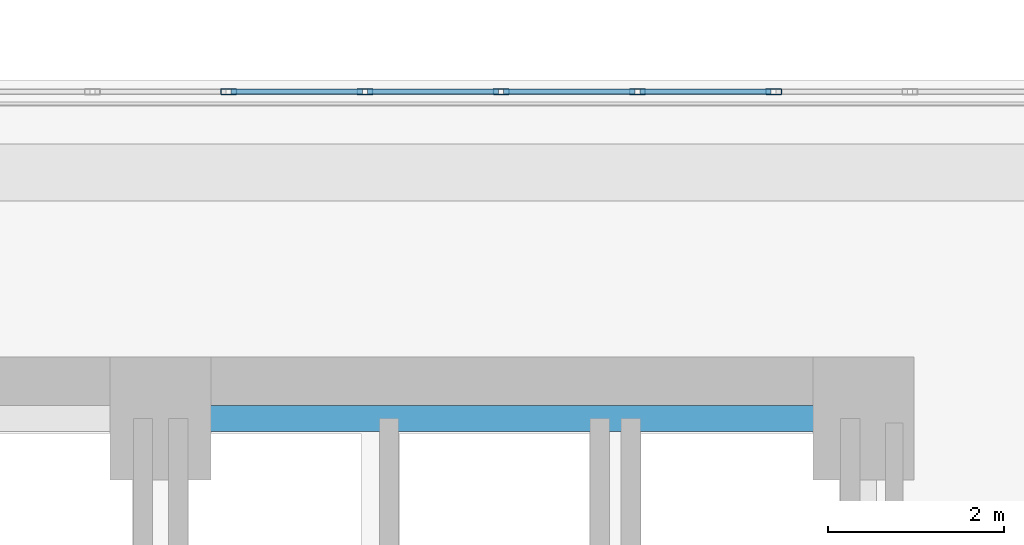
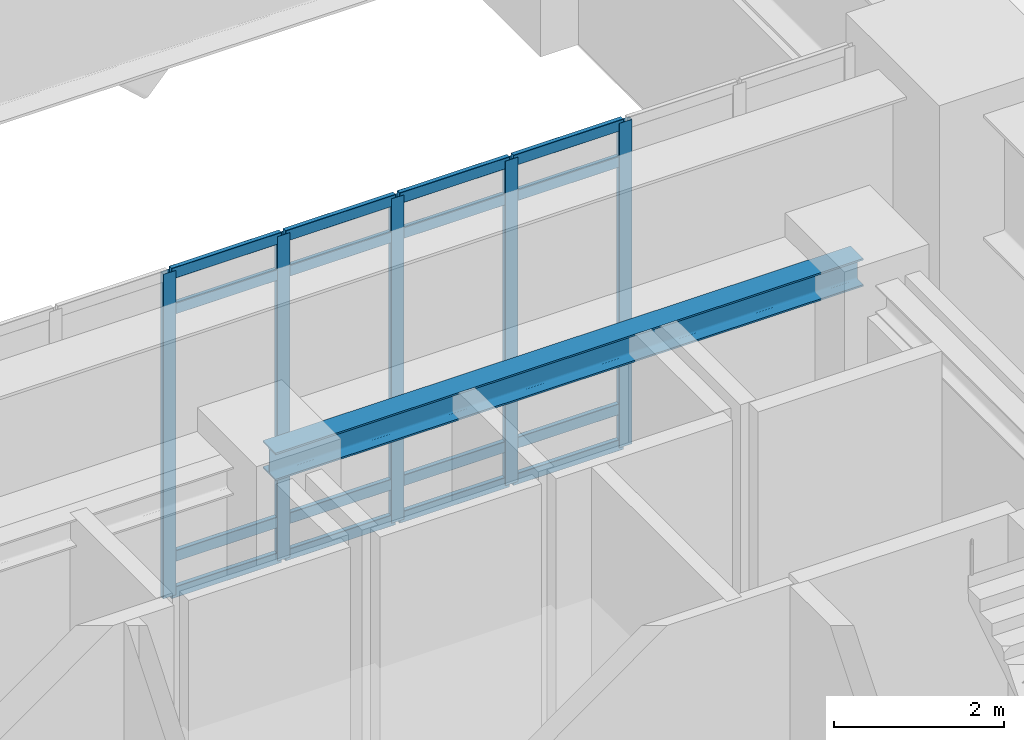
# One storey, part 12 of 25: 21 members, 1 beam, 1 element without a shape of its own.
"""IFC4 building model written with IfcOpenShell, lengths in metres."""

import ifcopenshell
import ifcopenshell.guid

model = None  # the IFC model being written
_history = None  # IfcOwnerHistory: only IFC2X3 demands one
_inside = {}  # id of a spatial element -> (the spatial element, [elements in it])
_under = {}  # id of a project, library or spatial element -> (it, [spatial elements below it])
_declared = {}  # id of a project -> (the project, [libraries it declares])
_typed = {}  # id of a type object -> (the type object, [elements of that type])
_made_of = {}  # id of a material, layer set ... -> (it, [elements and type objects made of it])


def new_model(schema):
    """Start an empty IFC model of exactly this schema.

    Asked for "IFC4X3", IfcOpenShell would pick the latest addendum, in which some entities
    have other attributes; the version numbers below select the first issue.
    IFC2X3 requires an IfcOwnerHistory on every rooted entity: one is made here for all.
    """
    global model, _history
    if schema == "IFC4X3":
        model = ifcopenshell.file(schema_version=(4, 3, 0, 0))
    else:
        model = ifcopenshell.file(schema=schema)
    _inside.clear()
    _under.clear()
    _declared.clear()
    _typed.clear()
    _made_of.clear()
    _history = None
    if model.schema == "IFC2X3":
        org = make("IfcOrganization", Name="unknown")
        user = make(
            "IfcPersonAndOrganization",
            ThePerson=make("IfcPerson", FamilyName="unknown"),
            TheOrganization=org,
        )
        app = make(
            "IfcApplication",
            ApplicationDeveloper=org,
            Version="unknown",
            ApplicationFullName="unknown",
            ApplicationIdentifier="unknown",
        )
        _history = make(
            "IfcOwnerHistory",
            OwningUser=user,
            OwningApplication=app,
            ChangeAction="ADDED",
            CreationDate=0,
        )
    return model


def make(cls, **values):
    """One entity of the class cls with the attributes given. An attribute that is None is left unset."""
    return model.create_entity(
        cls, **{name: value for name, value in values.items() if value is not None}
    )


def rooted(cls, **values):
    """An entity with a GlobalId (a new one), such as an element, a storey or a relation."""
    return make(cls, GlobalId=ifcopenshell.guid.new(), OwnerHistory=_history, **values)


def si_unit(unit_type, name, prefix=None):
    """IfcSIUnit, for example si_unit("LENGTHUNIT", "METRE", prefix="MILLI")."""
    return make("IfcSIUnit", UnitType=unit_type, Prefix=prefix, Name=name)


def assignment(units):
    """IfcUnitAssignment: the units of a project."""
    return None if units is None else make("IfcUnitAssignment", Units=units)


def point(xyz):
    """IfcCartesianPoint."""
    return None if xyz is None else make("IfcCartesianPoint", Coordinates=xyz)


def direction(xyz):
    """IfcDirection."""
    return None if xyz is None else make("IfcDirection", DirectionRatios=xyz)


def frame(location, z_axis=None, x_axis=None):
    """IfcAxis2Placement3D, a coordinate frame: its origin and axes. An axis left out is left unset."""
    return make(
        "IfcAxis2Placement3D",
        Location=point(location),
        Axis=direction(z_axis),
        RefDirection=direction(x_axis),
    )


def frame_2d(location, x_axis=None):
    """IfcAxis2Placement2D, a coordinate frame in the plane: its origin and x axis."""
    return make(
        "IfcAxis2Placement2D", Location=point(location), RefDirection=direction(x_axis)
    )


def origin():
    """The frame at (0, 0, 0) with its axes left unset."""
    return frame((0.0, 0.0, 0.0))


def origin_2d():
    """The frame at (0, 0) in the plane with its x axis left unset."""
    return frame_2d((0.0, 0.0))


def place(relative_to, where):
    """IfcLocalPlacement: puts the frame where relative to a parent placement (None: the world)."""
    return make(
        "IfcLocalPlacement", PlacementRelTo=relative_to, RelativePlacement=where
    )


def context(
    kind, dimensions, precision=None, world=None, true_north=None, identifier=None
):
    """IfcGeometricRepresentationContext, for example the 3D "Model" context."""
    return make(
        "IfcGeometricRepresentationContext",
        ContextIdentifier=identifier,
        ContextType=kind,
        CoordinateSpaceDimension=dimensions,
        Precision=precision,
        WorldCoordinateSystem=world,
        TrueNorth=true_north,
    )


def subcontext(parent, identifier, kind, view, scale=None):
    """IfcGeometricRepresentationSubContext, for example "Body" below "Model"."""
    return make(
        "IfcGeometricRepresentationSubContext",
        ContextIdentifier=identifier,
        ContextType=kind,
        ParentContext=parent,
        TargetScale=scale,
        TargetView=view,
    )


def project(units=None, contexts=None):
    """IfcProject with its units and contexts."""
    return rooted(
        "IfcProject",
        Name="project",
        RepresentationContexts=contexts,
        UnitsInContext=assignment(units),
    )


def spatial(cls, under=None, at=None, **own):
    """A site, building, storey or space (cls), placed at a placement, below another one or the project."""
    s = rooted(cls, ObjectPlacement=at, **own)
    if under is not None:
        _under.setdefault(under.id(), (under, []))[1].append(s)
    return s


def profile(cls, at=None, kind="AREA", **sizes):
    """A parametric profile (cls). Its sizes go by their IFC names, for example OverallWidth=200.0."""
    return make(cls, ProfileType=kind, Position=at, **sizes)


def hollow_rectangle(**sizes):
    """IfcRectangleHollowProfileDef."""
    return profile("IfcRectangleHollowProfileDef", **sizes)


def i_section(**sizes):
    """IfcIShapeProfileDef."""
    return profile("IfcIShapeProfileDef", **sizes)


def extrude(swept, where, along, depth):
    """IfcExtrudedAreaSolid: the profile swept, set in the frame where, extruded along a direction by depth."""
    return make(
        "IfcExtrudedAreaSolid",
        SweptArea=swept,
        Position=where,
        ExtrudedDirection=direction(along),
        Depth=depth,
    )


def shape(context_of_items, identifier, shape_type, items):
    """IfcShapeRepresentation: the items that make up one representation, for example the "Body"."""
    return make(
        "IfcShapeRepresentation",
        ContextOfItems=context_of_items,
        RepresentationIdentifier=identifier,
        RepresentationType=shape_type,
        Items=items,
    )


def material(Name=None, Category=None):
    """IfcMaterial."""
    return make("IfcMaterial", Name=Name, Category=Category)


def layer(
    of_material, thickness, ventilated=None, Name=None, Category=None, Priority=None
):
    """IfcMaterialLayer: one layer of a wall or slab, of a material (None: an air gap)."""
    return make(
        "IfcMaterialLayer",
        Material=of_material,
        LayerThickness=thickness,
        IsVentilated=ventilated,
        Name=Name,
        Category=Category,
        Priority=Priority,
    )


def layer_set(layers, Name=None):
    """IfcMaterialLayerSet."""
    return make("IfcMaterialLayerSet", MaterialLayers=layers, LayerSetName=Name)


def material_profile(
    of_material, cross_section, Name=None, Category=None, Priority=None
):
    """IfcMaterialProfile: a cross section and its material."""
    return make(
        "IfcMaterialProfile",
        Name=Name,
        Material=of_material,
        Profile=cross_section,
        Priority=Priority,
        Category=Category,
    )


def profile_set(profiles, Name=None, composite=None):
    """IfcMaterialProfileSet."""
    return make(
        "IfcMaterialProfileSet",
        Name=Name,
        MaterialProfiles=profiles,
        CompositeProfile=composite,
    )


def made_of(thing, what):
    """Note that an element or type object is made of a material, layer set ...; save() writes the relation."""
    if what is not None:
        _made_of.setdefault(what.id(), (what, []))[1].append(thing)
    return thing


def type_object(cls, material=None, **own):
    """A type object (cls), such as IfcWallType, which elements share."""
    return made_of(rooted(cls, **own), material)


def element(
    cls,
    number,
    at=None,
    inside=None,
    cuts=None,
    type_object=None,
    material=None,
    context=None,
    identifier="Body",
    shape_type=None,
    held_by="IfcProductDefinitionShape",
    body=None,
    shapes=None,
    **own,
):
    """One element of the class cls, such as IfcWall. Its Tag is "e" and its number.

    at: its placement. inside: the storey or other place that contains it. cuts: it is an
    opening in that element (IfcRelVoidsElement). A single representation is given by context,
    identifier, shape_type and body (its items); several are given by shapes. held_by: the class
    of the entity that holds the representations. save() writes the other relations.
    """
    e = rooted(cls, Tag="e%d" % number, ObjectPlacement=at, **own)
    if body is not None:
        shapes = [shape(context, identifier, shape_type, body)]
    if shapes is not None:
        e.Representation = make(held_by, Representations=shapes)
    if inside is not None:
        _inside.setdefault(inside.id(), (inside, []))[1].append(e)
    if cuts is not None:
        rooted(
            "IfcRelVoidsElement", RelatingBuildingElement=cuts, RelatedOpeningElement=e
        )
    if type_object is not None:
        _typed.setdefault(type_object.id(), (type_object, []))[1].append(e)
    return made_of(e, material)


def aggregate(whole, parts):
    """IfcRelAggregates: a whole, such as a stair, and the parts it consists of."""
    return rooted("IfcRelAggregates", RelatingObject=whole, RelatedObjects=parts)


def save(model, path):
    """Write the relations noted so far, then the file.

    IfcRelAggregates (storeys below a building ...), IfcRelContainedInSpatialStructure (elements
    in a storey), IfcRelDefinesByType, IfcRelAssociatesMaterial and IfcRelDeclares: one each for
    every whole, place, type object, material and project.
    """
    for whole, parts in _under.values():
        aggregate(whole, parts)
    for where, things in _inside.values():
        rooted(
            "IfcRelContainedInSpatialStructure",
            RelatedElements=things,
            RelatingStructure=where,
        )
    for kind, things in _typed.values():
        rooted("IfcRelDefinesByType", RelatedObjects=things, RelatingType=kind)
    for what, things in _made_of.values():
        rooted("IfcRelAssociatesMaterial", RelatedObjects=things, RelatingMaterial=what)
    for by, libraries in _declared.values():
        rooted("IfcRelDeclares", RelatingContext=by, RelatedDefinitions=libraries)
    model.write(path)


model = new_model("IFC4")

# Units and contexts
model_context = context("Model", 3, precision=1e-05, world=origin(), true_north=direction((0.0, 1.0)))
body_context = subcontext(model_context, "Body", "Model", "MODEL_VIEW")
ifc_project = project(units=[si_unit("LENGTHUNIT", "METRE"), si_unit("AREAUNIT", "SQUARE_METRE"), si_unit("VOLUMEUNIT", "CUBIC_METRE"), si_unit("PLANEANGLEUNIT", "RADIAN"), si_unit("MASSUNIT", "GRAM", prefix="KILO")], contexts=[model_context])

# Site, building, storey
site_placement = place(None, origin())
site = spatial("IfcSite", under=ifc_project, at=site_placement, CompositionType="ELEMENT")
building_placement = place(site_placement, origin())
building = spatial("IfcBuilding", under=site, at=building_placement, Name="Ndelora Gate Hotel", CompositionType="ELEMENT")
storey_placement = place(building_placement, frame((0.0, 0.0, 11.0)))
storey = spatial("IfcBuildingStorey", under=building, at=storey_placement, Name="L02", CompositionType="ELEMENT", Elevation=11.0)

# Beam
ifc_material_1 = material(Name="Steel S355", Category="steel")
ifc_material_profile_1 = material_profile(ifc_material_1, i_section(OverallWidth=0.300048828125, OverallDepth=0.39990234375, WebThickness=0.013427734375, FlangeThickness=0.02392578125, FilletRadius=0.027099609375, at=origin_2d()), Name="HEB 400")
ifc_profile_set_1 = profile_set([ifc_material_profile_1], Name="Steel S355")
beam_type = type_object("IfcBeamType", Name="BM-CORE-400", PredefinedType="BEAM", material=ifc_profile_set_1)
beam_placement = place(storey_placement, frame((0.0, 6.60009765625, 4.4599609375), z_axis=(1.0, 0.0, 0.0), x_axis=(0.0, 1.0, 0.0)))
element("IfcBeam", 1, at=beam_placement, inside=storey, type_object=beam_type, Name="L02 Core Tie Girder CC6-CC5", PredefinedType="BEAM", context=body_context, shape_type="SweptSolid", body=[
    extrude(i_section(OverallWidth=0.300048828125, OverallDepth=0.39990234375, WebThickness=0.013427734375, FlangeThickness=0.02392578125, FilletRadius=0.027099609375, at=origin_2d()), origin(), (0.0, 0.0, 1.0), 8.0),
])

# Curtain wall, members
ifc_material_2 = material(Name="Bronze Anodised Unitised Aluminium and Low-E Glass", Category="aluminium")
ifc_layer = layer(ifc_material_2, 0.239990234375)
ifc_layer_set = layer_set([ifc_layer], Name="Bronze Anodised Unitised Aluminium and Low-E Glass")
curtain_wall_type = type_object("IfcCurtainWallType", Name="CW-SYS-1", PredefinedType="NOTDEFINED", material=ifc_layer_set)
curtain_wall_placement = place(storey_placement, origin())
curtain_wall = element("IfcCurtainWall", 2, at=curtain_wall_placement, inside=storey, type_object=curtain_wall_type, Name="L02 North Portal Arch Concourse Curtain Wall CW1", PredefinedType="NOTDEFINED")
ifc_material_3 = material(Name="Bronze Anodised Aluminium 6063-T6", Category="aluminium")
ifc_material_profile_2 = material_profile(ifc_material_3, hollow_rectangle(XDim=0.070068359375, YDim=0.179931640625, WallThickness=0.0048828125, InnerFilletRadius=0.0048828125, OuterFilletRadius=0.010009765625, at=origin_2d()), Name="ALU 180x70x5")
ifc_profile_set_2 = profile_set([ifc_material_profile_2], Name="Bronze Anodised Aluminium 6063-T6")
member_type_1 = type_object("IfcMemberType", Name="MB-CW-MUL180", PredefinedType="MULLION", material=ifc_profile_set_2)
member_1_placement = place(storey_placement, frame((6.978515625, 10.320068359375, -0.00390625), z_axis=(0.0, 0.0, 1.0), x_axis=(0.0, -1.0, 0.0)))
member_1 = element("IfcMember", 3, at=member_1_placement, type_object=member_type_1, Name="CW1 mullion 3", PredefinedType="MULLION", context=body_context, shape_type="SweptSolid", body=[
    extrude(hollow_rectangle(XDim=0.070068359375, YDim=0.179931640625, WallThickness=0.0048828125, InnerFilletRadius=0.0048828125, OuterFilletRadius=0.010009765625, at=origin_2d()), origin(), (0.0, 0.0, 1.0), 4.66796875),
])
member_2_placement = place(storey_placement, frame((5.427734375, 10.320068359375, -0.00390625), z_axis=(0.0, 0.0, 1.0), x_axis=(0.0, -1.0, 0.0)))
member_2 = element("IfcMember", 4, at=member_2_placement, type_object=member_type_1, Name="CW1 mullion 4", PredefinedType="MULLION", context=body_context, shape_type="SweptSolid", body=[
    extrude(hollow_rectangle(XDim=0.070068359375, YDim=0.179931640625, WallThickness=0.0048828125, InnerFilletRadius=0.0048828125, OuterFilletRadius=0.010009765625, at=origin_2d()), origin(), (0.0, 0.0, 1.0), 4.66796875),
])
member_3_placement = place(storey_placement, frame((3.876953125, 10.320068359375, -0.00390625), z_axis=(0.0, 0.0, 1.0), x_axis=(0.0, -1.0, 0.0)))
member_3 = element("IfcMember", 5, at=member_3_placement, type_object=member_type_1, Name="CW1 mullion 5", PredefinedType="MULLION", context=body_context, shape_type="SweptSolid", body=[
    extrude(hollow_rectangle(XDim=0.070068359375, YDim=0.179931640625, WallThickness=0.0048828125, InnerFilletRadius=0.0048828125, OuterFilletRadius=0.010009765625, at=origin_2d()), origin(), (0.0, 0.0, 1.0), 4.66796875),
])
member_4_placement = place(storey_placement, frame((2.326171875, 10.320068359375, -0.00390625), z_axis=(0.0, 0.0, 1.0), x_axis=(0.0, -1.0, 0.0)))
member_4 = element("IfcMember", 6, at=member_4_placement, type_object=member_type_1, Name="CW1 mullion 6", PredefinedType="MULLION", context=body_context, shape_type="SweptSolid", body=[
    extrude(hollow_rectangle(XDim=0.070068359375, YDim=0.179931640625, WallThickness=0.0048828125, InnerFilletRadius=0.0048828125, OuterFilletRadius=0.010009765625, at=origin_2d()), origin(), (0.0, 0.0, 1.0), 4.66796875),
])
member_5_placement = place(storey_placement, frame((0.775390625, 10.320068359375, -0.00390625), z_axis=(0.0, 0.0, 1.0), x_axis=(0.0, -1.0, 0.0)))
member_5 = element("IfcMember", 7, at=member_5_placement, type_object=member_type_1, Name="CW1 mullion 7", PredefinedType="MULLION", context=body_context, shape_type="SweptSolid", body=[
    extrude(hollow_rectangle(XDim=0.070068359375, YDim=0.179931640625, WallThickness=0.0048828125, InnerFilletRadius=0.0048828125, OuterFilletRadius=0.010009765625, at=origin_2d()), origin(), (0.0, 0.0, 1.0), 4.66796875),
])
ifc_material_profile_3 = material_profile(ifc_material_3, hollow_rectangle(XDim=0.06494140625, YDim=0.159912109375, WallThickness=0.00390625, InnerFilletRadius=0.00390625, OuterFilletRadius=0.008056640625, at=origin_2d()), Name="ALU 160x65x4")
ifc_profile_set_3 = profile_set([ifc_material_profile_3], Name="Bronze Anodised Aluminium 6063-T6")
member_type_2 = type_object("IfcMemberType", Name="MB-CW-TRN150", PredefinedType="USERDEFINED", material=ifc_profile_set_3)
member_6_placement = place(storey_placement, frame((6.949462890625, 10.320068359375, 0.032470703125), z_axis=(-1.0, 0.0, 0.0), x_axis=(0.0, -1.0, 0.0)))
member_6 = element("IfcMember", 8, at=member_6_placement, type_object=member_type_2, Name="CW1 transom 3.1", ObjectType="TRANSOM", PredefinedType="USERDEFINED", context=body_context, shape_type="SweptSolid", body=[
    extrude(hollow_rectangle(XDim=0.06494140625, YDim=0.159912109375, WallThickness=0.00390625, InnerFilletRadius=0.00390625, OuterFilletRadius=0.008056640625, at=origin_2d()), origin(), (0.0, 0.0, 1.0), 1.49267578125),
])
member_7_placement = place(storey_placement, frame((6.949462890625, 10.320068359375, 0.550048828125), z_axis=(-1.0, 0.0, 0.0), x_axis=(0.0, -1.0, 0.0)))
member_7 = element("IfcMember", 9, at=member_7_placement, type_object=member_type_2, Name="CW1 transom 3.2", ObjectType="TRANSOM", PredefinedType="USERDEFINED", context=body_context, shape_type="SweptSolid", body=[
    extrude(hollow_rectangle(XDim=0.06494140625, YDim=0.159912109375, WallThickness=0.00390625, InnerFilletRadius=0.00390625, OuterFilletRadius=0.008056640625, at=origin_2d()), origin(), (0.0, 0.0, 1.0), 1.49267578125),
])
member_8_placement = place(storey_placement, frame((6.949462890625, 10.320068359375, 4.110107421875), z_axis=(-1.0, 0.0, 0.0), x_axis=(0.0, -1.0, 0.0)))
member_8 = element("IfcMember", 10, at=member_8_placement, type_object=member_type_2, Name="CW1 transom 3.3", ObjectType="TRANSOM", PredefinedType="USERDEFINED", context=body_context, shape_type="SweptSolid", body=[
    extrude(hollow_rectangle(XDim=0.06494140625, YDim=0.159912109375, WallThickness=0.00390625, InnerFilletRadius=0.00390625, OuterFilletRadius=0.008056640625, at=origin_2d()), origin(), (0.0, 0.0, 1.0), 1.49267578125),
])
member_9_placement = place(storey_placement, frame((6.949462890625, 10.320068359375, 4.62744140625), z_axis=(-1.0, 0.0, 0.0), x_axis=(0.0, -1.0, 0.0)))
member_9 = element("IfcMember", 11, at=member_9_placement, type_object=member_type_2, Name="CW1 transom 3.4", ObjectType="TRANSOM", PredefinedType="USERDEFINED", context=body_context, shape_type="SweptSolid", body=[
    extrude(hollow_rectangle(XDim=0.06494140625, YDim=0.159912109375, WallThickness=0.00390625, InnerFilletRadius=0.00390625, OuterFilletRadius=0.008056640625, at=origin_2d()), origin(), (0.0, 0.0, 1.0), 1.49267578125),
])
member_10_placement = place(storey_placement, frame((5.398681640625, 10.320068359375, 0.032470703125), z_axis=(-1.0, 0.0, 0.0), x_axis=(0.0, -1.0, 0.0)))
member_10 = element("IfcMember", 12, at=member_10_placement, type_object=member_type_2, Name="CW1 transom 4.1", ObjectType="TRANSOM", PredefinedType="USERDEFINED", context=body_context, shape_type="SweptSolid", body=[
    extrude(hollow_rectangle(XDim=0.06494140625, YDim=0.159912109375, WallThickness=0.00390625, InnerFilletRadius=0.00390625, OuterFilletRadius=0.008056640625, at=origin_2d()), origin(), (0.0, 0.0, 1.0), 1.49267578125),
])
member_11_placement = place(storey_placement, frame((5.398681640625, 10.320068359375, 0.550048828125), z_axis=(-1.0, 0.0, 0.0), x_axis=(0.0, -1.0, 0.0)))
member_11 = element("IfcMember", 13, at=member_11_placement, type_object=member_type_2, Name="CW1 transom 4.2", ObjectType="TRANSOM", PredefinedType="USERDEFINED", context=body_context, shape_type="SweptSolid", body=[
    extrude(hollow_rectangle(XDim=0.06494140625, YDim=0.159912109375, WallThickness=0.00390625, InnerFilletRadius=0.00390625, OuterFilletRadius=0.008056640625, at=origin_2d()), origin(), (0.0, 0.0, 1.0), 1.49267578125),
])
member_12_placement = place(storey_placement, frame((5.398681640625, 10.320068359375, 4.110107421875), z_axis=(-1.0, 0.0, 0.0), x_axis=(0.0, -1.0, 0.0)))
member_12 = element("IfcMember", 14, at=member_12_placement, type_object=member_type_2, Name="CW1 transom 4.3", ObjectType="TRANSOM", PredefinedType="USERDEFINED", context=body_context, shape_type="SweptSolid", body=[
    extrude(hollow_rectangle(XDim=0.06494140625, YDim=0.159912109375, WallThickness=0.00390625, InnerFilletRadius=0.00390625, OuterFilletRadius=0.008056640625, at=origin_2d()), origin(), (0.0, 0.0, 1.0), 1.49267578125),
])
member_13_placement = place(storey_placement, frame((5.398681640625, 10.320068359375, 4.62744140625), z_axis=(-1.0, 0.0, 0.0), x_axis=(0.0, -1.0, 0.0)))
member_13 = element("IfcMember", 15, at=member_13_placement, type_object=member_type_2, Name="CW1 transom 4.4", ObjectType="TRANSOM", PredefinedType="USERDEFINED", context=body_context, shape_type="SweptSolid", body=[
    extrude(hollow_rectangle(XDim=0.06494140625, YDim=0.159912109375, WallThickness=0.00390625, InnerFilletRadius=0.00390625, OuterFilletRadius=0.008056640625, at=origin_2d()), origin(), (0.0, 0.0, 1.0), 1.49267578125),
])
member_14_placement = place(storey_placement, frame((3.847900390625, 10.320068359375, 0.032470703125), z_axis=(-1.0, 0.0, 0.0), x_axis=(0.0, -1.0, 0.0)))
member_14 = element("IfcMember", 16, at=member_14_placement, type_object=member_type_2, Name="CW1 transom 5.1", ObjectType="TRANSOM", PredefinedType="USERDEFINED", context=body_context, shape_type="SweptSolid", body=[
    extrude(hollow_rectangle(XDim=0.06494140625, YDim=0.159912109375, WallThickness=0.00390625, InnerFilletRadius=0.00390625, OuterFilletRadius=0.008056640625, at=origin_2d()), origin(), (0.0, 0.0, 1.0), 1.49267578125),
])
member_15_placement = place(storey_placement, frame((3.847900390625, 10.320068359375, 0.550048828125), z_axis=(-1.0, 0.0, 0.0), x_axis=(0.0, -1.0, 0.0)))
member_15 = element("IfcMember", 17, at=member_15_placement, type_object=member_type_2, Name="CW1 transom 5.2", ObjectType="TRANSOM", PredefinedType="USERDEFINED", context=body_context, shape_type="SweptSolid", body=[
    extrude(hollow_rectangle(XDim=0.06494140625, YDim=0.159912109375, WallThickness=0.00390625, InnerFilletRadius=0.00390625, OuterFilletRadius=0.008056640625, at=origin_2d()), origin(), (0.0, 0.0, 1.0), 1.49267578125),
])
member_16_placement = place(storey_placement, frame((3.847900390625, 10.320068359375, 4.110107421875), z_axis=(-1.0, 0.0, 0.0), x_axis=(0.0, -1.0, 0.0)))
member_16 = element("IfcMember", 18, at=member_16_placement, type_object=member_type_2, Name="CW1 transom 5.3", ObjectType="TRANSOM", PredefinedType="USERDEFINED", context=body_context, shape_type="SweptSolid", body=[
    extrude(hollow_rectangle(XDim=0.06494140625, YDim=0.159912109375, WallThickness=0.00390625, InnerFilletRadius=0.00390625, OuterFilletRadius=0.008056640625, at=origin_2d()), origin(), (0.0, 0.0, 1.0), 1.49267578125),
])
member_17_placement = place(storey_placement, frame((3.847900390625, 10.320068359375, 4.62744140625), z_axis=(-1.0, 0.0, 0.0), x_axis=(0.0, -1.0, 0.0)))
member_17 = element("IfcMember", 19, at=member_17_placement, type_object=member_type_2, Name="CW1 transom 5.4", ObjectType="TRANSOM", PredefinedType="USERDEFINED", context=body_context, shape_type="SweptSolid", body=[
    extrude(hollow_rectangle(XDim=0.06494140625, YDim=0.159912109375, WallThickness=0.00390625, InnerFilletRadius=0.00390625, OuterFilletRadius=0.008056640625, at=origin_2d()), origin(), (0.0, 0.0, 1.0), 1.49267578125),
])
member_18_placement = place(storey_placement, frame((2.297119140625, 10.320068359375, 0.032470703125), z_axis=(-1.0, 0.0, 0.0), x_axis=(0.0, -1.0, 0.0)))
member_18 = element("IfcMember", 20, at=member_18_placement, type_object=member_type_2, Name="CW1 transom 6.1", ObjectType="TRANSOM", PredefinedType="USERDEFINED", context=body_context, shape_type="SweptSolid", body=[
    extrude(hollow_rectangle(XDim=0.06494140625, YDim=0.159912109375, WallThickness=0.00390625, InnerFilletRadius=0.00390625, OuterFilletRadius=0.008056640625, at=origin_2d()), origin(), (0.0, 0.0, 1.0), 1.49267578125),
])
member_19_placement = place(storey_placement, frame((2.297119140625, 10.320068359375, 0.550048828125), z_axis=(-1.0, 0.0, 0.0), x_axis=(0.0, -1.0, 0.0)))
member_19 = element("IfcMember", 21, at=member_19_placement, type_object=member_type_2, Name="CW1 transom 6.2", ObjectType="TRANSOM", PredefinedType="USERDEFINED", context=body_context, shape_type="SweptSolid", body=[
    extrude(hollow_rectangle(XDim=0.06494140625, YDim=0.159912109375, WallThickness=0.00390625, InnerFilletRadius=0.00390625, OuterFilletRadius=0.008056640625, at=origin_2d()), origin(), (0.0, 0.0, 1.0), 1.49267578125),
])
member_20_placement = place(storey_placement, frame((2.297119140625, 10.320068359375, 4.110107421875), z_axis=(-1.0, 0.0, 0.0), x_axis=(0.0, -1.0, 0.0)))
member_20 = element("IfcMember", 22, at=member_20_placement, type_object=member_type_2, Name="CW1 transom 6.3", ObjectType="TRANSOM", PredefinedType="USERDEFINED", context=body_context, shape_type="SweptSolid", body=[
    extrude(hollow_rectangle(XDim=0.06494140625, YDim=0.159912109375, WallThickness=0.00390625, InnerFilletRadius=0.00390625, OuterFilletRadius=0.008056640625, at=origin_2d()), origin(), (0.0, 0.0, 1.0), 1.49267578125),
])
member_21_placement = place(storey_placement, frame((2.297119140625, 10.320068359375, 4.62744140625), z_axis=(-1.0, 0.0, 0.0), x_axis=(0.0, -1.0, 0.0)))
member_21 = element("IfcMember", 23, at=member_21_placement, type_object=member_type_2, Name="CW1 transom 6.4", ObjectType="TRANSOM", PredefinedType="USERDEFINED", context=body_context, shape_type="SweptSolid", body=[
    extrude(hollow_rectangle(XDim=0.06494140625, YDim=0.159912109375, WallThickness=0.00390625, InnerFilletRadius=0.00390625, OuterFilletRadius=0.008056640625, at=origin_2d()), origin(), (0.0, 0.0, 1.0), 1.49267578125),
])
aggregate(curtain_wall, [member_1, member_2, member_3, member_4, member_5, member_6, member_7, member_8, member_9, member_10, member_11, member_12, member_13, member_14, member_15, member_16, member_17, member_18, member_19, member_20, member_21])

save(model, "model.ifc")
